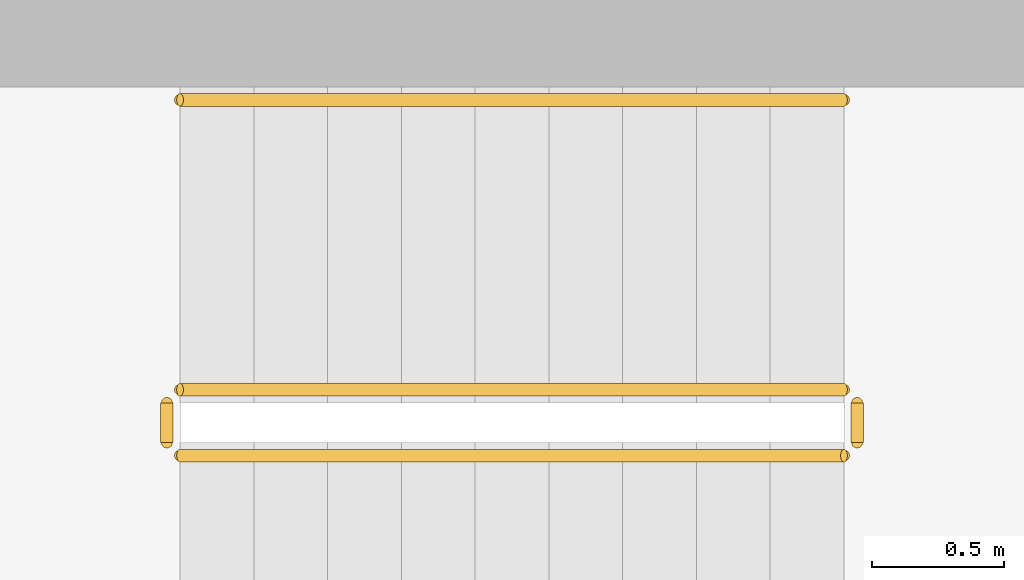
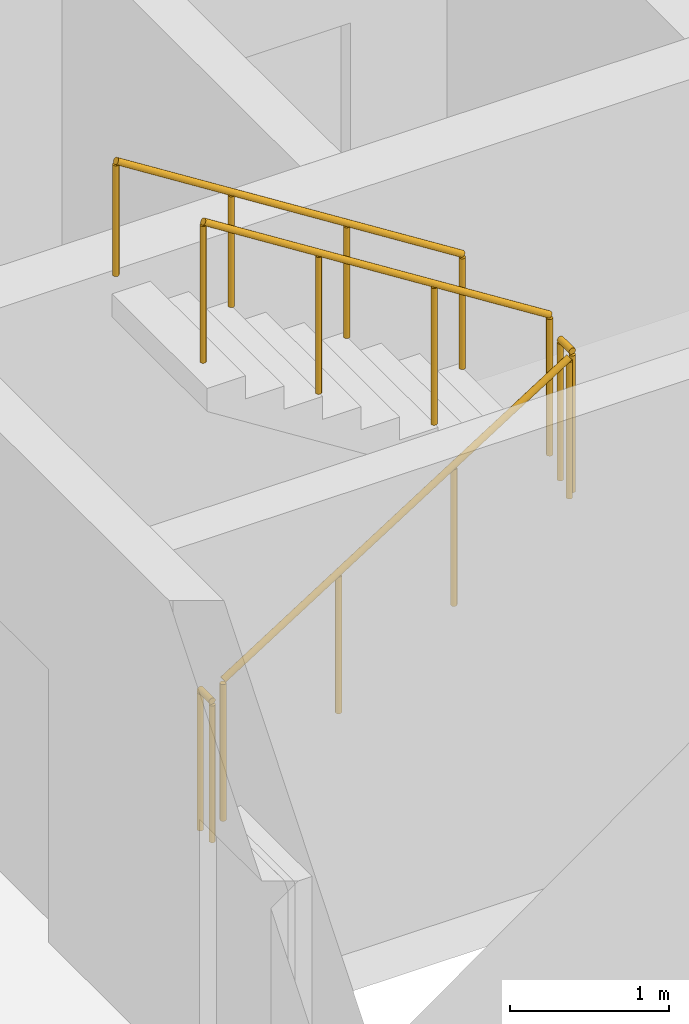
# One storey, part 14 of 16: 5 railings.
"""IFC4 building model written with IfcOpenShell, lengths in metres."""

from ifc_helpers import new_model, si_unit, direction, frame, origin, origin_2d, place, context, subcontext, project, spatial, circle, extrude, material, type_object, element, save


model = new_model("IFC4")

# Units and contexts
model_context = context("Model", 3, precision=1e-05, world=origin(), true_north=direction((0.0, 1.0)))
body_context = subcontext(model_context, "Body", "Model", "MODEL_VIEW")
ifc_project = project(units=[si_unit("LENGTHUNIT", "METRE"), si_unit("AREAUNIT", "SQUARE_METRE"), si_unit("VOLUMEUNIT", "CUBIC_METRE"), si_unit("PLANEANGLEUNIT", "RADIAN"), si_unit("MASSUNIT", "GRAM", prefix="KILO")], contexts=[model_context])

# Site, building, storey
site_placement = place(None, origin())
site = spatial("IfcSite", under=ifc_project, at=site_placement, CompositionType="ELEMENT")
building_placement = place(site_placement, origin())
building = spatial("IfcBuilding", under=site, at=building_placement, Name="Ostrand Prow Hotel Tower", CompositionType="ELEMENT")
storey_placement = place(building_placement, frame((0.0, 0.0, 186.14990234375)))
storey = spatial("IfcBuildingStorey", under=building, at=storey_placement, Name="L46", CompositionType="ELEMENT", Elevation=186.14990234375)

# Railings
ifc_material_1 = material(Name="Painted steel", Category="steel")
railing_type_1 = type_object("IfcRailingType", Name="Stair guard 1100", PredefinedType="GUARDRAIL", material=ifc_material_1)
railing_1_placement = place(storey_placement, frame((57.199951171875, -11.75, 0.177490234375)))
element("IfcRailing", 1, at=railing_1_placement, inside=storey, type_object=railing_type_1, Name="L46 ST2C stair guard 1", PredefinedType="GUARDRAIL", context=body_context, shape_type="SweptSolid", body=[
    extrude(circle(Radius=0.02392578125, at=origin_2d()), frame((0.0, 0.0, 1.076171875), z_axis=(0.84456994832, 0.0, 0.535445237532), x_axis=(0.0, 1.0, 0.0)), (0.0, 0.0, 1.0), 2.98388671875),
    extrude(circle(Radius=0.02099609375, at=origin_2d()), origin(), (0.0, 0.0, 1.0), 1.052001953125),
    extrude(circle(Radius=0.02099609375, at=origin_2d()), frame((0.840087890625, 0.0, 0.532470703125)), (0.0, 0.0, 1.0), 1.052001953125),
    extrude(circle(Radius=0.02099609375, at=origin_2d()), frame((1.679931640625, 0.0, 1.065185546875)), (0.0, 0.0, 1.0), 1.052001953125),
    extrude(circle(Radius=0.02099609375, at=origin_2d()), frame((2.52001953125, 0.0, 1.59765625)), (0.0, 0.0, 1.0), 1.052001953125),
])
railing_2_placement = place(storey_placement, frame((59.77001953125, -11.699951171875, 1.775146484375)))
element("IfcRailing", 2, at=railing_2_placement, inside=storey, type_object=railing_type_1, Name="L46 ST2C stair guard 2", PredefinedType="GUARDRAIL", context=body_context, shape_type="SweptSolid", body=[
    extrude(circle(Radius=0.02392578125, at=origin_2d()), frame((0.0, 0.0, 1.076171875), z_axis=(0.0, 1.0, 0.0), x_axis=(-1.0, 0.0, 0.0)), (0.0, 0.0, 1.0), 0.14990234375),
    extrude(circle(Radius=0.02099609375, at=origin_2d()), origin(), (0.0, 0.0, 1.0), 1.052001953125),
    extrude(circle(Radius=0.02099609375, at=origin_2d()), frame((0.0, 0.14990234375, 0.0)), (0.0, 0.0, 1.0), 1.052001953125),
])
railing_3_placement = place(storey_placement, frame((59.719970703125, -11.5, 1.95263671875)))
element("IfcRailing", 3, at=railing_3_placement, inside=storey, type_object=railing_type_1, Name="L46 ST2C stair guard 3", PredefinedType="GUARDRAIL", context=body_context, shape_type="SweptSolid", body=[
    extrude(circle(Radius=0.02392578125, at=origin_2d()), frame((0.0, 0.0, 1.076171875), z_axis=(-0.84460694969, 0.0, 0.535386869969), x_axis=(0.0, -1.0, 0.0)), (0.0, 0.0, 1.0), 2.983642578125),
    extrude(circle(Radius=0.02099609375, at=origin_2d()), origin(), (0.0, 0.0, 1.0), 1.052001953125),
    extrude(circle(Radius=0.02099609375, at=origin_2d()), frame((-0.840087890625, 0.0, 0.532470703125)), (0.0, 0.0, 1.0), 1.052001953125),
    extrude(circle(Radius=0.02099609375, at=origin_2d()), frame((-1.679931640625, 0.0, 1.06494140625)), (0.0, 0.0, 1.0), 1.052001953125),
    extrude(circle(Radius=0.02099609375, at=origin_2d()), frame((-2.52001953125, 0.0, 1.597412109375)), (0.0, 0.0, 1.0), 1.052001953125),
])
railing_4_placement = place(storey_placement, frame((57.14990234375, -11.699951171875, 0.0)))
element("IfcRailing", 4, at=railing_4_placement, inside=storey, type_object=railing_type_1, Name="L46 ST2C stair guard 4", PredefinedType="GUARDRAIL", context=body_context, shape_type="SweptSolid", body=[
    extrude(circle(Radius=0.02392578125, at=origin_2d()), frame((0.0, 0.0, 1.076171875), z_axis=(0.0, 1.0, 0.0), x_axis=(-1.0, 0.0, 0.0)), (0.0, 0.0, 1.0), 0.14990234375),
    extrude(circle(Radius=0.02099609375, at=origin_2d()), origin(), (0.0, 0.0, 1.0), 1.052001953125),
    extrude(circle(Radius=0.02099609375, at=origin_2d()), frame((0.0, 0.14990234375, 0.0)), (0.0, 0.0, 1.0), 1.052001953125),
])
ifc_material_2 = material(Name="Stainless steel", Category="steel")
railing_type_2 = type_object("IfcRailingType", Name="Stair handrail 900", PredefinedType="HANDRAIL", material=ifc_material_2)
railing_5_placement = place(storey_placement, frame((59.719970703125, -10.39990234375, 1.95263671875)))
element("IfcRailing", 5, at=railing_5_placement, inside=storey, type_object=railing_type_2, Name="L46 ST2C stair handrail 2", PredefinedType="HANDRAIL", context=body_context, shape_type="SweptSolid", body=[
    extrude(circle(Radius=0.02392578125, at=origin_2d()), frame((0.0, 0.0, 0.8759765625), z_axis=(-0.84460694969, 0.0, 0.535386869969), x_axis=(0.0, -1.0, 0.0)), (0.0, 0.0, 1.0), 2.983642578125),
    extrude(circle(Radius=0.02099609375, at=origin_2d()), origin(), (0.0, 0.0, 1.0), 0.851806640625),
    extrude(circle(Radius=0.02099609375, at=origin_2d()), frame((-0.840087890625, 0.0, 0.532470703125)), (0.0, 0.0, 1.0), 0.851806640625),
    extrude(circle(Radius=0.02099609375, at=origin_2d()), frame((-1.679931640625, 0.0, 1.06494140625)), (0.0, 0.0, 1.0), 0.851806640625),
    extrude(circle(Radius=0.02099609375, at=origin_2d()), frame((-2.52001953125, 0.0, 1.597412109375)), (0.0, 0.0, 1.0), 0.851806640625),
])

save(model, "model.ifc")
